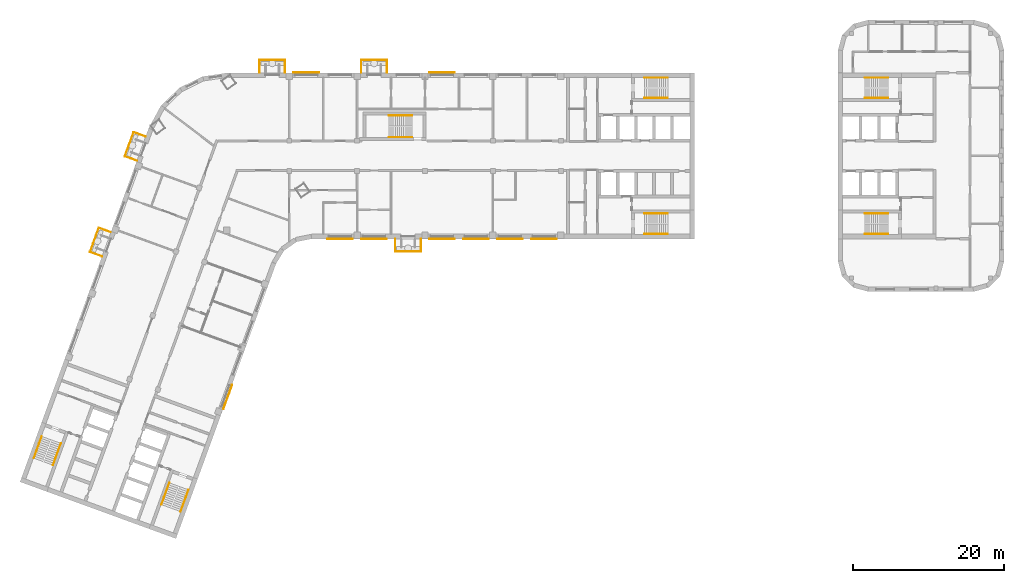
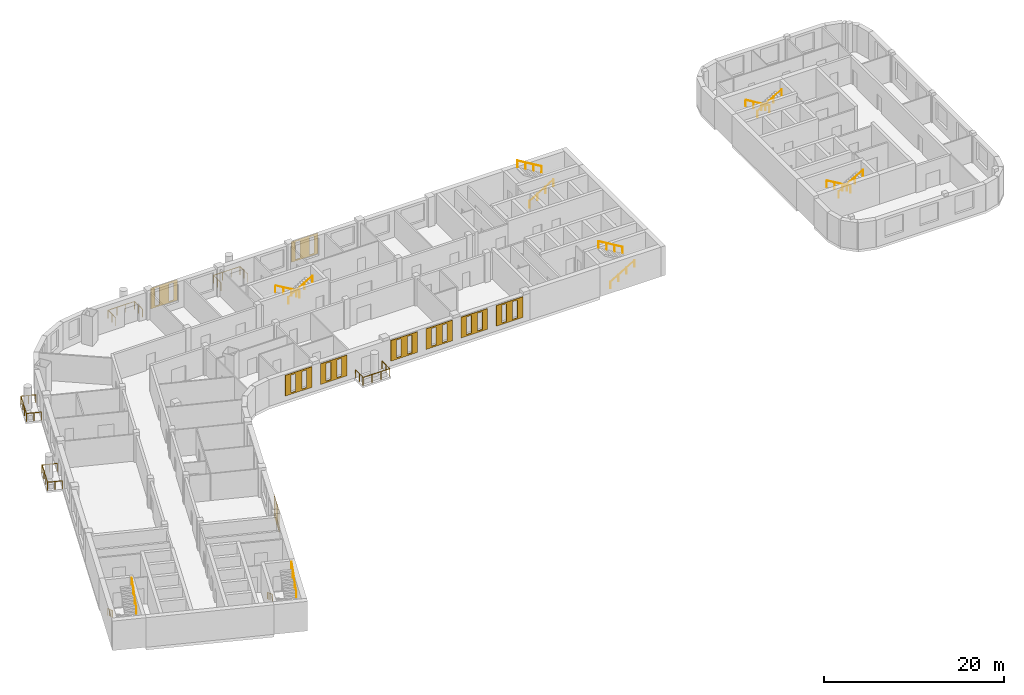
# One storey, part 11 of 13: 19 railings, 9 coverings.
"""IFC4 building model written with IfcOpenShell, lengths in metres."""

from ifc_helpers import new_model, si_unit, direction, frame, origin, origin_2d, place, context, subcontext, project, spatial, polyline, circle, outline, extrude, material, material_profile, profile_set, type_object, element, save


model = new_model("IFC4")

# Units and contexts
model_context = context("Model", 3, precision=1e-05, world=origin(), true_north=direction((0.0, 1.0)))
body_context = subcontext(model_context, "Body", "Model", "MODEL_VIEW")
ifc_project = project(units=[si_unit("LENGTHUNIT", "METRE"), si_unit("AREAUNIT", "SQUARE_METRE"), si_unit("VOLUMEUNIT", "CUBIC_METRE"), si_unit("PLANEANGLEUNIT", "RADIAN"), si_unit("MASSUNIT", "GRAM", prefix="KILO")], contexts=[model_context])

# Site, building, storey
site_placement = place(None, origin())
site = spatial("IfcSite", under=ifc_project, at=site_placement, CompositionType="ELEMENT")
building_placement = place(site_placement, origin())
building = spatial("IfcBuilding", under=site, at=building_placement, Name="Skarvind Civic Tower", CompositionType="ELEMENT")
storey_placement = place(building_placement, frame((0.0, 0.0, 93.0)))
storey = spatial("IfcBuildingStorey", under=building, at=storey_placement, Name="L21", CompositionType="ELEMENT", Elevation=93.0)

# Railings
ifc_material_1 = material(Name="Stainless steel balustrade", Category="steel")
railing_type_1 = type_object("IfcRailingType", Name="GR1 GUARD 1100", PredefinedType="GUARDRAIL", material=ifc_material_1)
railing_1_placement = place(storey_placement, frame((71.699951171875, 117.0, 0.0)))
element("IfcRailing", 1, at=railing_1_placement, inside=storey, type_object=railing_type_1, Name="TREE BALCONY GUARD", PredefinedType="GUARDRAIL", context=body_context, shape_type="SweptSolid", body=[
    extrude(circle(Radius=0.02392578125, at=origin_2d()), frame((0.0, 0.0, 1.076171875), z_axis=(0.0, -1.0, 0.0), x_axis=(1.0, 0.0, 0.0)), (0.0, 0.0, 1.0), 1.699951171875),
    extrude(circle(Radius=0.02392578125, at=origin_2d()), frame((0.0, -1.699951171875, 1.076171875), z_axis=(-1.0, 0.0, 0.0), x_axis=(0.0, -1.0, 0.0)), (0.0, 0.0, 1.0), 3.39990234375),
    extrude(circle(Radius=0.02392578125, at=origin_2d()), frame((-3.39990234375, -1.699951171875, 1.076171875), z_axis=(0.0, 1.0, 0.0), x_axis=(-1.0, 0.0, 0.0)), (0.0, 0.0, 1.0), 1.699951171875),
    extrude(circle(Radius=0.02099609375, at=origin_2d()), origin(), (0.0, 0.0, 1.0), 1.052001953125),
    extrude(circle(Radius=0.02099609375, at=origin_2d()), frame((0.0, -0.85009765625, 0.0)), (0.0, 0.0, 1.0), 1.052001953125),
    extrude(circle(Radius=0.02099609375, at=origin_2d()), frame((0.0, -1.699951171875, 0.0)), (0.0, 0.0, 1.0), 1.052001953125),
    extrude(circle(Radius=0.02099609375, at=origin_2d()), frame((-1.13330078125, -1.699951171875, 0.0)), (0.0, 0.0, 1.0), 1.052001953125),
    extrude(circle(Radius=0.02099609375, at=origin_2d()), frame((-2.2666015625, -1.699951171875, 0.0)), (0.0, 0.0, 1.0), 1.052001953125),
    extrude(circle(Radius=0.02099609375, at=origin_2d()), frame((-3.39990234375, -1.699951171875, 0.0)), (0.0, 0.0, 1.0), 1.052001953125),
    extrude(circle(Radius=0.02099609375, at=origin_2d()), frame((-3.39990234375, -0.85009765625, 0.0)), (0.0, 0.0, 1.0), 1.052001953125),
    extrude(circle(Radius=0.02099609375, at=origin_2d()), frame((-3.39990234375, 0.0, 0.0)), (0.0, 0.0, 1.0), 1.052001953125),
])
for number, where, name in (
    (2, (50.300048828125, 139.0, 0.0), "TREE BALCONY GUARD"),
    (3, (63.800048828125, 139.0, 0.0), "TREE BALCONY GUARD"),
):
    element("IfcRailing", number, at=place(storey_placement, frame(where)), inside=storey, type_object=railing_type_1, Name=name, PredefinedType="GUARDRAIL", context=body_context, shape_type="SweptSolid", body=[
        extrude(circle(Radius=0.02392578125, at=origin_2d()), frame((0.0, 0.0, 1.076171875), z_axis=(0.0, 1.0, 0.0), x_axis=(-1.0, 0.0, 0.0)), (0.0, 0.0, 1.0), 1.699951171875),
        extrude(circle(Radius=0.02392578125, at=origin_2d()), frame((0.0, 1.699951171875, 1.076171875), z_axis=(1.0, 0.0, 0.0), x_axis=(0.0, 1.0, 0.0)), (0.0, 0.0, 1.0), 3.39990234375),
        extrude(circle(Radius=0.02392578125, at=origin_2d()), frame((3.39990234375, 1.699951171875, 1.076171875), z_axis=(0.0, -1.0, 0.0), x_axis=(1.0, 0.0, 0.0)), (0.0, 0.0, 1.0), 1.699951171875),
        extrude(circle(Radius=0.02099609375, at=origin_2d()), origin(), (0.0, 0.0, 1.0), 1.052001953125),
        extrude(circle(Radius=0.02099609375, at=origin_2d()), frame((0.0, 0.85009765625, 0.0)), (0.0, 0.0, 1.0), 1.052001953125),
        extrude(circle(Radius=0.02099609375, at=origin_2d()), frame((0.0, 1.699951171875, 0.0)), (0.0, 0.0, 1.0), 1.052001953125),
        extrude(circle(Radius=0.02099609375, at=origin_2d()), frame((1.13330078125, 1.699951171875, 0.0)), (0.0, 0.0, 1.0), 1.052001953125),
        extrude(circle(Radius=0.02099609375, at=origin_2d()), frame((2.2666015625, 1.699951171875, 0.0)), (0.0, 0.0, 1.0), 1.052001953125),
        extrude(circle(Radius=0.02099609375, at=origin_2d()), frame((3.39990234375, 1.699951171875, 0.0)), (0.0, 0.0, 1.0), 1.052001953125),
        extrude(circle(Radius=0.02099609375, at=origin_2d()), frame((3.39990234375, 0.85009765625, 0.0)), (0.0, 0.0, 1.0), 1.052001953125),
        extrude(circle(Radius=0.02099609375, at=origin_2d()), frame((3.39990234375, 0.0, 0.0)), (0.0, 0.0, 1.0), 1.052001953125),
    ])
railing_2_placement = place(storey_placement, frame((29.438720703125, 114.659912109375, 0.0)))
element("IfcRailing", 4, at=railing_2_placement, inside=storey, type_object=railing_type_1, Name="TREE BALCONY GUARD", PredefinedType="GUARDRAIL", context=body_context, shape_type="SweptSolid", body=[
    extrude(circle(Radius=0.02392578125, at=origin_2d()), frame((0.0, 0.0, 1.076171875), z_axis=(-0.939713724856, 0.341962154804, 0.0), x_axis=(-0.341962154804, -0.939713724856, 0.0)), (0.0, 0.0, 1.0), 1.699951171875),
    extrude(circle(Radius=0.02392578125, at=origin_2d()), frame((-1.597412109375, 0.581298828125, 1.076171875), z_axis=(0.341939080165, 0.939722121404, 0.0), x_axis=(-0.939722121404, 0.341939080165, 0.0)), (0.0, 0.0, 1.0), 3.39990234375),
    extrude(circle(Radius=0.02392578125, at=origin_2d()), frame((-0.434814453125, 3.7763671875, 1.076171875), z_axis=(0.939684369409, -0.342042812948, 0.0), x_axis=(0.342042812948, 0.939684369409, 0.0)), (0.0, 0.0, 1.0), 1.7001953125),
    extrude(circle(Radius=0.02099609375, at=origin_2d()), origin(), (0.0, 0.0, 1.0), 1.052001953125),
    extrude(circle(Radius=0.02099609375, at=origin_2d()), frame((-0.798828125, 0.29052734375, 0.0)), (0.0, 0.0, 1.0), 1.052001953125),
    extrude(circle(Radius=0.02099609375, at=origin_2d()), frame((-1.597412109375, 0.581298828125, 0.0)), (0.0, 0.0, 1.0), 1.052001953125),
    extrude(circle(Radius=0.02099609375, at=origin_2d()), frame((-1.2099609375, 1.646240234375, 0.0)), (0.0, 0.0, 1.0), 1.052001953125),
    extrude(circle(Radius=0.02099609375, at=origin_2d()), frame((-0.822265625, 2.71142578125, 0.0)), (0.0, 0.0, 1.0), 1.052001953125),
    extrude(circle(Radius=0.02099609375, at=origin_2d()), frame((-0.434814453125, 3.7763671875, 0.0)), (0.0, 0.0, 1.0), 1.052001953125),
    extrude(circle(Radius=0.02099609375, at=origin_2d()), frame((0.364013671875, 3.485595703125, 0.0)), (0.0, 0.0, 1.0), 1.052001953125),
    extrude(circle(Radius=0.02099609375, at=origin_2d()), frame((1.162841796875, 3.19482421875, 0.0)), (0.0, 0.0, 1.0), 1.052001953125),
])
railing_3_placement = place(storey_placement, frame((34.055908203125, 127.345703125, 0.0)))
element("IfcRailing", 5, at=railing_3_placement, inside=storey, type_object=railing_type_1, Name="TREE BALCONY GUARD", PredefinedType="GUARDRAIL", context=body_context, shape_type="SweptSolid", body=[
    extrude(circle(Radius=0.02392578125, at=origin_2d()), frame((0.0, 0.0, 1.076171875), z_axis=(-0.939713724856, 0.341962154804, 0.0), x_axis=(-0.341962154804, -0.939713724856, 0.0)), (0.0, 0.0, 1.0), 1.699951171875),
    extrude(circle(Radius=0.02392578125, at=origin_2d()), frame((-1.597412109375, 0.581298828125, 1.076171875), z_axis=(0.342002487902, 0.939699046647, 0.0), x_axis=(-0.939699046647, 0.342002487902, 0.0)), (0.0, 0.0, 1.0), 3.400146484375),
    extrude(circle(Radius=0.02392578125, at=origin_2d()), frame((-0.4345703125, 3.7763671875, 1.076171875), z_axis=(0.939713724856, -0.341962154804, 0.0), x_axis=(0.341962154804, 0.939713724856, 0.0)), (0.0, 0.0, 1.0), 1.699951171875),
    extrude(circle(Radius=0.02099609375, at=origin_2d()), origin(), (0.0, 0.0, 1.0), 1.052001953125),
    extrude(circle(Radius=0.02099609375, at=origin_2d()), frame((-0.798828125, 0.29052734375, 0.0)), (0.0, 0.0, 1.0), 1.052001953125),
    extrude(circle(Radius=0.02099609375, at=origin_2d()), frame((-1.597412109375, 0.581298828125, 0.0)), (0.0, 0.0, 1.0), 1.052001953125),
    extrude(circle(Radius=0.02099609375, at=origin_2d()), frame((-1.209716796875, 1.646240234375, 0.0)), (0.0, 0.0, 1.0), 1.052001953125),
    extrude(circle(Radius=0.02099609375, at=origin_2d()), frame((-0.822265625, 2.71142578125, 0.0)), (0.0, 0.0, 1.0), 1.052001953125),
    extrude(circle(Radius=0.02099609375, at=origin_2d()), frame((-0.4345703125, 3.7763671875, 0.0)), (0.0, 0.0, 1.0), 1.052001953125),
    extrude(circle(Radius=0.02099609375, at=origin_2d()), frame((0.3642578125, 3.48583984375, 0.0)), (0.0, 0.0, 1.0), 1.052001953125),
    extrude(circle(Radius=0.02099609375, at=origin_2d()), frame((1.162841796875, 3.195068359375, 0.0)), (0.0, 0.0, 1.0), 1.052001953125),
])
ifc_material_2 = material(Name="Painted steel handrail", Category="steel")
railing_type_2 = type_object("IfcRailingType", Name="Stair handrail 900", PredefinedType="HANDRAIL", material=ifc_material_2)
railing_4_placement = place(storey_placement, frame((101.35009765625, 135.64990234375, 0.166748046875)))
element("IfcRailing", 6, at=railing_4_placement, inside=storey, type_object=railing_type_2, Name="Stair handrail", PredefinedType="HANDRAIL", context=body_context, shape_type="SweptSolid", body=[
    extrude(circle(Radius=0.02392578125, at=origin_2d()), frame((0.0, 0.0, 0.8759765625), z_axis=(0.859290745958, 0.0, 0.51148745235), x_axis=(0.0, 1.0, 0.0)), (0.0, 0.0, 1.0), 3.584228515625),
    extrude(circle(Radius=0.02099609375, at=origin_2d()), origin(), (0.0, 0.0, 1.0), 0.851806640625),
    extrude(circle(Radius=0.02099609375, at=origin_2d()), frame((1.026611328125, 0.0, 0.611083984375)), (0.0, 0.0, 1.0), 0.851806640625),
    extrude(circle(Radius=0.02099609375, at=origin_2d()), frame((2.05322265625, 0.0, 1.22216796875)), (0.0, 0.0, 1.0), 0.851806640625),
    extrude(circle(Radius=0.02099609375, at=origin_2d()), frame((3.079833984375, 0.0, 1.833251953125)), (0.0, 0.0, 1.0), 0.851806640625),
])
railing_5_placement = place(storey_placement, frame((104.429931640625, 138.35009765625, 2.166748046875)))
element("IfcRailing", 7, at=railing_5_placement, inside=storey, type_object=railing_type_2, Name="Stair handrail", PredefinedType="HANDRAIL", context=body_context, shape_type="SweptSolid", body=[
    extrude(circle(Radius=0.02392578125, at=origin_2d()), frame((0.0, 0.0, 0.8759765625), z_axis=(-0.859290745958, 0.0, 0.51148745235), x_axis=(0.0, -1.0, 0.0)), (0.0, 0.0, 1.0), 3.584228515625),
    extrude(circle(Radius=0.02099609375, at=origin_2d()), origin(), (0.0, 0.0, 1.0), 0.851806640625),
    extrude(circle(Radius=0.02099609375, at=origin_2d()), frame((-1.026611328125, 0.0, 0.611083984375)), (0.0, 0.0, 1.0), 0.851806640625),
    extrude(circle(Radius=0.02099609375, at=origin_2d()), frame((-2.05322265625, 0.0, 1.22216796875)), (0.0, 0.0, 1.0), 0.851806640625),
    extrude(circle(Radius=0.02099609375, at=origin_2d()), frame((-3.079833984375, 0.0, 1.833251953125)), (0.0, 0.0, 1.0), 0.851806640625),
])
railing_6_placement = place(storey_placement, frame((101.35009765625, 117.64990234375, 0.166748046875)))
element("IfcRailing", 8, at=railing_6_placement, inside=storey, type_object=railing_type_2, Name="Stair handrail", PredefinedType="HANDRAIL", context=body_context, shape_type="SweptSolid", body=[
    extrude(circle(Radius=0.02392578125, at=origin_2d()), frame((0.0, 0.0, 0.8759765625), z_axis=(0.859290745958, 0.0, 0.51148745235), x_axis=(0.0, 1.0, 0.0)), (0.0, 0.0, 1.0), 3.584228515625),
    extrude(circle(Radius=0.02099609375, at=origin_2d()), origin(), (0.0, 0.0, 1.0), 0.851806640625),
    extrude(circle(Radius=0.02099609375, at=origin_2d()), frame((1.026611328125, 0.0, 0.611083984375)), (0.0, 0.0, 1.0), 0.851806640625),
    extrude(circle(Radius=0.02099609375, at=origin_2d()), frame((2.05322265625, 0.0, 1.22216796875)), (0.0, 0.0, 1.0), 0.851806640625),
    extrude(circle(Radius=0.02099609375, at=origin_2d()), frame((3.079833984375, 0.0, 1.833251953125)), (0.0, 0.0, 1.0), 0.851806640625),
])
railing_7_placement = place(storey_placement, frame((104.429931640625, 120.35009765625, 2.166748046875)))
element("IfcRailing", 9, at=railing_7_placement, inside=storey, type_object=railing_type_2, Name="Stair handrail", PredefinedType="HANDRAIL", context=body_context, shape_type="SweptSolid", body=[
    extrude(circle(Radius=0.02392578125, at=origin_2d()), frame((0.0, 0.0, 0.8759765625), z_axis=(-0.859290745958, 0.0, 0.51148745235), x_axis=(0.0, -1.0, 0.0)), (0.0, 0.0, 1.0), 3.584228515625),
    extrude(circle(Radius=0.02099609375, at=origin_2d()), origin(), (0.0, 0.0, 1.0), 0.851806640625),
    extrude(circle(Radius=0.02099609375, at=origin_2d()), frame((-1.026611328125, 0.0, 0.611083984375)), (0.0, 0.0, 1.0), 0.851806640625),
    extrude(circle(Radius=0.02099609375, at=origin_2d()), frame((-2.05322265625, 0.0, 1.22216796875)), (0.0, 0.0, 1.0), 0.851806640625),
    extrude(circle(Radius=0.02099609375, at=origin_2d()), frame((-3.079833984375, 0.0, 1.833251953125)), (0.0, 0.0, 1.0), 0.851806640625),
])
railing_8_placement = place(storey_placement, frame((38.362060546875, 84.64794921875, 0.166748046875)))
element("IfcRailing", 10, at=railing_8_placement, inside=storey, type_object=railing_type_2, Name="Stair handrail", PredefinedType="HANDRAIL", context=body_context, shape_type="SweptSolid", body=[
    extrude(circle(Radius=0.02392578125, at=origin_2d()), frame((0.0, 0.0, 0.8759765625), z_axis=(-0.293908055923, -0.807480881337, 0.511461319103), x_axis=(0.939689235759, -0.342029443467, 0.0)), (0.0, 0.0, 1.0), 3.584228515625),
    extrude(circle(Radius=0.02099609375, at=origin_2d()), origin(), (0.0, 0.0, 1.0), 0.851806640625),
    extrude(circle(Radius=0.02099609375, at=origin_2d()), frame((-0.35107421875, -0.96484375, 0.611083984375)), (0.0, 0.0, 1.0), 0.851806640625),
    extrude(circle(Radius=0.02099609375, at=origin_2d()), frame((-0.702392578125, -1.929443359375, 1.22216796875)), (0.0, 0.0, 1.0), 0.851806640625),
    extrude(circle(Radius=0.02099609375, at=origin_2d()), frame((-1.053466796875, -2.894287109375, 1.833251953125)), (0.0, 0.0, 1.0), 0.851806640625),
])
railing_9_placement = place(storey_placement, frame((39.845703125, 80.830078125, 2.166748046875)))
element("IfcRailing", 11, at=railing_9_placement, inside=storey, type_object=railing_type_2, Name="Stair handrail", PredefinedType="HANDRAIL", context=body_context, shape_type="SweptSolid", body=[
    extrude(circle(Radius=0.02392578125, at=origin_2d()), frame((0.0, 0.0, 0.8759765625), z_axis=(0.293908055923, 0.807480881337, 0.511461319103), x_axis=(-0.939689235759, 0.342029443467, 0.0)), (0.0, 0.0, 1.0), 3.584228515625),
    extrude(circle(Radius=0.02099609375, at=origin_2d()), origin(), (0.0, 0.0, 1.0), 0.851806640625),
    extrude(circle(Radius=0.02099609375, at=origin_2d()), frame((0.35107421875, 0.96484375, 0.611083984375)), (0.0, 0.0, 1.0), 0.851806640625),
    extrude(circle(Radius=0.02099609375, at=origin_2d()), frame((0.702392578125, 1.929443359375, 1.22216796875)), (0.0, 0.0, 1.0), 0.851806640625),
    extrude(circle(Radius=0.02099609375, at=origin_2d()), frame((1.053466796875, 2.894287109375, 1.833251953125)), (0.0, 0.0, 1.0), 0.851806640625),
])
railing_10_placement = place(storey_placement, frame((21.447509765625, 90.80419921875, 0.166748046875)))
element("IfcRailing", 12, at=railing_10_placement, inside=storey, type_object=railing_type_2, Name="Stair handrail", PredefinedType="HANDRAIL", context=body_context, shape_type="SweptSolid", body=[
    extrude(circle(Radius=0.02392578125, at=origin_2d()), frame((0.0, 0.0, 0.8759765625), z_axis=(-0.293845824691, -0.807497044902, 0.511471557163), x_axis=(0.939714709796, -0.34195944817, 0.0)), (0.0, 0.0, 1.0), 3.584228515625),
    extrude(circle(Radius=0.02099609375, at=origin_2d()), origin(), (0.0, 0.0, 1.0), 0.851806640625),
    extrude(circle(Radius=0.02099609375, at=origin_2d()), frame((-0.35107421875, -0.96484375, 0.611083984375)), (0.0, 0.0, 1.0), 0.851806640625),
    extrude(circle(Radius=0.02099609375, at=origin_2d()), frame((-0.7021484375, -1.929443359375, 1.22216796875)), (0.0, 0.0, 1.0), 0.851806640625),
    extrude(circle(Radius=0.02099609375, at=origin_2d()), frame((-1.05322265625, -2.894287109375, 1.833251953125)), (0.0, 0.0, 1.0), 0.851806640625),
])
railing_11_placement = place(storey_placement, frame((22.931396484375, 86.986572265625, 2.166748046875)))
element("IfcRailing", 13, at=railing_11_placement, inside=storey, type_object=railing_type_2, Name="Stair handrail", PredefinedType="HANDRAIL", context=body_context, shape_type="SweptSolid", body=[
    extrude(circle(Radius=0.02392578125, at=origin_2d()), frame((0.0, 0.0, 0.8759765625), z_axis=(0.293908055923, 0.807480881337, 0.511461319103), x_axis=(-0.939689235759, 0.342029443467, 0.0)), (0.0, 0.0, 1.0), 3.584228515625),
    extrude(circle(Radius=0.02099609375, at=origin_2d()), origin(), (0.0, 0.0, 1.0), 0.851806640625),
    extrude(circle(Radius=0.02099609375, at=origin_2d()), frame((0.35107421875, 0.96484375, 0.611083984375)), (0.0, 0.0, 1.0), 0.851806640625),
    extrude(circle(Radius=0.02099609375, at=origin_2d()), frame((0.702392578125, 1.929443359375, 1.22216796875)), (0.0, 0.0, 1.0), 0.851806640625),
    extrude(circle(Radius=0.02099609375, at=origin_2d()), frame((1.053466796875, 2.894287109375, 1.833251953125)), (0.0, 0.0, 1.0), 0.851806640625),
])
railing_12_placement = place(storey_placement, frame((133.64990234375, 120.35009765625, 0.166748046875)))
element("IfcRailing", 14, at=railing_12_placement, inside=storey, type_object=railing_type_2, Name="Stair handrail", PredefinedType="HANDRAIL", context=body_context, shape_type="SweptSolid", body=[
    extrude(circle(Radius=0.02392578125, at=origin_2d()), frame((0.0, 0.0, 0.8759765625), z_axis=(-0.859290745958, 0.0, 0.51148745235), x_axis=(0.0, -1.0, 0.0)), (0.0, 0.0, 1.0), 3.584228515625),
    extrude(circle(Radius=0.02099609375, at=origin_2d()), origin(), (0.0, 0.0, 1.0), 0.851806640625),
    extrude(circle(Radius=0.02099609375, at=origin_2d()), frame((-1.026611328125, 0.0, 0.611083984375)), (0.0, 0.0, 1.0), 0.851806640625),
    extrude(circle(Radius=0.02099609375, at=origin_2d()), frame((-2.05322265625, 0.0, 1.22216796875)), (0.0, 0.0, 1.0), 0.851806640625),
    extrude(circle(Radius=0.02099609375, at=origin_2d()), frame((-3.079833984375, 0.0, 1.833251953125)), (0.0, 0.0, 1.0), 0.851806640625),
])
railing_13_placement = place(storey_placement, frame((130.570068359375, 117.64990234375, 2.166748046875)))
element("IfcRailing", 15, at=railing_13_placement, inside=storey, type_object=railing_type_2, Name="Stair handrail", PredefinedType="HANDRAIL", context=body_context, shape_type="SweptSolid", body=[
    extrude(circle(Radius=0.02392578125, at=origin_2d()), frame((0.0, 0.0, 0.8759765625), z_axis=(0.859290745958, 0.0, 0.51148745235), x_axis=(0.0, 1.0, 0.0)), (0.0, 0.0, 1.0), 3.584228515625),
    extrude(circle(Radius=0.02099609375, at=origin_2d()), origin(), (0.0, 0.0, 1.0), 0.851806640625),
    extrude(circle(Radius=0.02099609375, at=origin_2d()), frame((1.026611328125, 0.0, 0.611083984375)), (0.0, 0.0, 1.0), 0.851806640625),
    extrude(circle(Radius=0.02099609375, at=origin_2d()), frame((2.05322265625, 0.0, 1.22216796875)), (0.0, 0.0, 1.0), 0.851806640625),
    extrude(circle(Radius=0.02099609375, at=origin_2d()), frame((3.079833984375, 0.0, 1.833251953125)), (0.0, 0.0, 1.0), 0.851806640625),
])
railing_14_placement = place(storey_placement, frame((133.64990234375, 138.35009765625, 0.166748046875)))
element("IfcRailing", 16, at=railing_14_placement, inside=storey, type_object=railing_type_2, Name="Stair handrail", PredefinedType="HANDRAIL", context=body_context, shape_type="SweptSolid", body=[
    extrude(circle(Radius=0.02392578125, at=origin_2d()), frame((0.0, 0.0, 0.8759765625), z_axis=(-0.859290745958, 0.0, 0.51148745235), x_axis=(0.0, -1.0, 0.0)), (0.0, 0.0, 1.0), 3.584228515625),
    extrude(circle(Radius=0.02099609375, at=origin_2d()), origin(), (0.0, 0.0, 1.0), 0.851806640625),
    extrude(circle(Radius=0.02099609375, at=origin_2d()), frame((-1.026611328125, 0.0, 0.611083984375)), (0.0, 0.0, 1.0), 0.851806640625),
    extrude(circle(Radius=0.02099609375, at=origin_2d()), frame((-2.05322265625, 0.0, 1.22216796875)), (0.0, 0.0, 1.0), 0.851806640625),
    extrude(circle(Radius=0.02099609375, at=origin_2d()), frame((-3.079833984375, 0.0, 1.833251953125)), (0.0, 0.0, 1.0), 0.851806640625),
])
railing_15_placement = place(storey_placement, frame((130.570068359375, 135.64990234375, 2.166748046875)))
element("IfcRailing", 17, at=railing_15_placement, inside=storey, type_object=railing_type_2, Name="Stair handrail", PredefinedType="HANDRAIL", context=body_context, shape_type="SweptSolid", body=[
    extrude(circle(Radius=0.02392578125, at=origin_2d()), frame((0.0, 0.0, 0.8759765625), z_axis=(0.859290745958, 0.0, 0.51148745235), x_axis=(0.0, 1.0, 0.0)), (0.0, 0.0, 1.0), 3.584228515625),
    extrude(circle(Radius=0.02099609375, at=origin_2d()), origin(), (0.0, 0.0, 1.0), 0.851806640625),
    extrude(circle(Radius=0.02099609375, at=origin_2d()), frame((1.026611328125, 0.0, 0.611083984375)), (0.0, 0.0, 1.0), 0.851806640625),
    extrude(circle(Radius=0.02099609375, at=origin_2d()), frame((2.05322265625, 0.0, 1.22216796875)), (0.0, 0.0, 1.0), 0.851806640625),
    extrude(circle(Radius=0.02099609375, at=origin_2d()), frame((3.079833984375, 0.0, 1.833251953125)), (0.0, 0.0, 1.0), 0.851806640625),
])
railing_16_placement = place(storey_placement, frame((70.550048828125, 133.35009765625, 0.166748046875)))
element("IfcRailing", 18, at=railing_16_placement, inside=storey, type_object=railing_type_2, Name="Stair handrail", PredefinedType="HANDRAIL", context=body_context, shape_type="SweptSolid", body=[
    extrude(circle(Radius=0.02392578125, at=origin_2d()), frame((0.0, 0.0, 0.8759765625), z_axis=(-0.859308565015, 0.0, 0.511457515432), x_axis=(0.0, -1.0, 0.0)), (0.0, 0.0, 1.0), 3.58447265625),
    extrude(circle(Radius=0.02099609375, at=origin_2d()), origin(), (0.0, 0.0, 1.0), 0.851806640625),
    extrude(circle(Radius=0.02099609375, at=origin_2d()), frame((-1.026611328125, 0.0, 0.611083984375)), (0.0, 0.0, 1.0), 0.851806640625),
    extrude(circle(Radius=0.02099609375, at=origin_2d()), frame((-2.053466796875, 0.0, 1.22216796875)), (0.0, 0.0, 1.0), 0.851806640625),
    extrude(circle(Radius=0.02099609375, at=origin_2d()), frame((-3.080078125, 0.0, 1.833251953125)), (0.0, 0.0, 1.0), 0.851806640625),
])
railing_17_placement = place(storey_placement, frame((67.469970703125, 130.449951171875, 2.166748046875)))
element("IfcRailing", 19, at=railing_17_placement, inside=storey, type_object=railing_type_2, Name="Stair handrail", PredefinedType="HANDRAIL", context=body_context, shape_type="SweptSolid", body=[
    extrude(circle(Radius=0.02392578125, at=origin_2d()), frame((0.0, 0.0, 0.8759765625), z_axis=(0.859308565015, 0.0, 0.511457515432), x_axis=(0.0, 1.0, 0.0)), (0.0, 0.0, 1.0), 3.58447265625),
    extrude(circle(Radius=0.02099609375, at=origin_2d()), origin(), (0.0, 0.0, 1.0), 0.851806640625),
    extrude(circle(Radius=0.02099609375, at=origin_2d()), frame((1.026611328125, 0.0, 0.611083984375)), (0.0, 0.0, 1.0), 0.851806640625),
    extrude(circle(Radius=0.02099609375, at=origin_2d()), frame((2.053466796875, 0.0, 1.22216796875)), (0.0, 0.0, 1.0), 0.851806640625),
    extrude(circle(Radius=0.02099609375, at=origin_2d()), frame((3.080078125, 0.0, 1.833251953125)), (0.0, 0.0, 1.0), 0.851806640625),
])

# Coverings
ifc_material_3 = material(Name="Terracotta", Category="masonry")
ifc_material_profile_1 = material_profile(ifc_material_3, outline(polyline([(-1.699951171875, -1.39990234375), (1.699951171875, -1.39990234375), (1.699951171875, 1.39990234375), (-1.699951171875, 1.39990234375), (-1.699951171875, -1.39990234375)]), holes=[polyline([(-1.0, -1.18994140625), (-0.39990234375, -1.18994140625), (-0.39990234375, 1.18994140625), (-1.0, 1.18994140625), (-1.0, -1.18994140625)]), polyline([(0.39990234375, -1.18994140625), (1.0, -1.18994140625), (1.0, 1.18994140625), (0.39990234375, 1.18994140625), (0.39990234375, -1.18994140625)])]), Name="TERRACOTTA SCREEN 3400 x 2800, SLIT PITCH 1400")
ifc_profile_set_1 = profile_set([ifc_material_profile_1], Name="Terracotta")
covering_type_1 = type_object("IfcCoveringType", Name="TERRACOTTA SCREEN 3400 x 2800, SLIT PITCH 1400", PredefinedType="CLADDING", material=ifc_profile_set_1)
for number, where, z_axis, x_axis, name in (
    (20, (88.0, 117.0, 2.10009765625), (0.0, -1.0, 0.0), (1.0, 0.0, 0.0), "TERRACOTTA SCREEN"),
    (21, (83.5, 117.0, 2.10009765625), (0.0, -1.0, 0.0), (1.0, 0.0, 0.0), "TERRACOTTA SCREEN"),
    (22, (79.0, 117.0, 2.10009765625), (0.0, -1.0, 0.0), (1.0, 0.0, 0.0), "TERRACOTTA SCREEN"),
    (23, (74.5, 117.0, 2.10009765625), (0.0, -1.0, 0.0), (1.0, 0.0, 0.0), "TERRACOTTA SCREEN"),
    (24, (65.5, 117.0, 2.10009765625), (0.0, -1.0, 0.0), (1.0, 0.0, 0.0), "TERRACOTTA SCREEN"),
    (25, (61.0, 117.0, 2.10009765625), (0.0, -1.0, 0.0), (1.0, 0.0, 0.0), "TERRACOTTA SCREEN"),
):
    element("IfcCovering", number, at=place(storey_placement, frame(where, z_axis=z_axis, x_axis=x_axis)), inside=storey, type_object=covering_type_1, Name=name, PredefinedType="CLADDING", context=body_context, shape_type="SweptSolid", body=[
        extrude(outline(polyline([(-1.699951171875, -1.39990234375), (1.699951171875, -1.39990234375), (1.699951171875, 1.39990234375), (-1.699951171875, 1.39990234375), (-1.699951171875, -1.39990234375)]), holes=[polyline([(-1.0, -1.18994140625), (-0.39990234375, -1.18994140625), (-0.39990234375, 1.18994140625), (-1.0, 1.18994140625), (-1.0, -1.18994140625)]), polyline([(0.39990234375, -1.18994140625), (1.0, -1.18994140625), (1.0, 1.18994140625), (0.39990234375, 1.18994140625), (0.39990234375, -1.18994140625)])]), origin(), (0.0, 0.0, 1.0), 0.06005859375),
    ])
ifc_material_profile_2 = material_profile(ifc_material_3, outline(polyline([(-1.699951171875, -1.39990234375), (1.699951171875, -1.39990234375), (1.699951171875, 1.39990234375), (-1.699951171875, 1.39990234375), (-1.699951171875, -1.39990234375)]), holes=[polyline([(-1.199951171875, -1.18994140625), (-0.60009765625, -1.18994140625), (-0.60009765625, 1.18994140625), (-1.199951171875, 1.18994140625), (-1.199951171875, -1.18994140625)]), polyline([(0.60009765625, -1.18994140625), (1.199951171875, -1.18994140625), (1.199951171875, 1.18994140625), (0.60009765625, 1.18994140625), (0.60009765625, -1.18994140625)])]), Name="TERRACOTTA SCREEN 3400 x 2800, SLIT PITCH 1800")
ifc_profile_set_2 = profile_set([ifc_material_profile_2], Name="Terracotta")
covering_type_2 = type_object("IfcCoveringType", Name="TERRACOTTA SCREEN 3400 x 2800, SLIT PITCH 1800", PredefinedType="CLADDING", material=ifc_profile_set_2)
for number, where, z_axis, x_axis, name in (
    (26, (46.075927734375, 96.047119140625, 2.10009765625), (0.939793423488, -0.341743063087, 0.0), (0.341743063087, 0.939793423488, 0.0), "TERRACOTTA SCREEN"),
    (27, (56.5, 139.0, 2.10009765625), (0.0, 1.0, 0.0), (-1.0, 0.0, 0.0), "TERRACOTTA SCREEN"),
    (28, (74.5, 139.0, 2.10009765625), (0.0, 1.0, 0.0), (-1.0, 0.0, 0.0), "TERRACOTTA SCREEN"),
):
    element("IfcCovering", number, at=place(storey_placement, frame(where, z_axis=z_axis, x_axis=x_axis)), inside=storey, type_object=covering_type_2, Name=name, PredefinedType="CLADDING", context=body_context, shape_type="SweptSolid", body=[
        extrude(outline(polyline([(-1.699951171875, -1.39990234375), (1.699951171875, -1.39990234375), (1.699951171875, 1.39990234375), (-1.699951171875, 1.39990234375), (-1.699951171875, -1.39990234375)]), holes=[polyline([(-1.199951171875, -1.18994140625), (-0.60009765625, -1.18994140625), (-0.60009765625, 1.18994140625), (-1.199951171875, 1.18994140625), (-1.199951171875, -1.18994140625)]), polyline([(0.60009765625, -1.18994140625), (1.199951171875, -1.18994140625), (1.199951171875, 1.18994140625), (0.60009765625, 1.18994140625), (0.60009765625, -1.18994140625)])]), origin(), (0.0, 0.0, 1.0), 0.06005859375),
    ])

save(model, "model.ifc")
